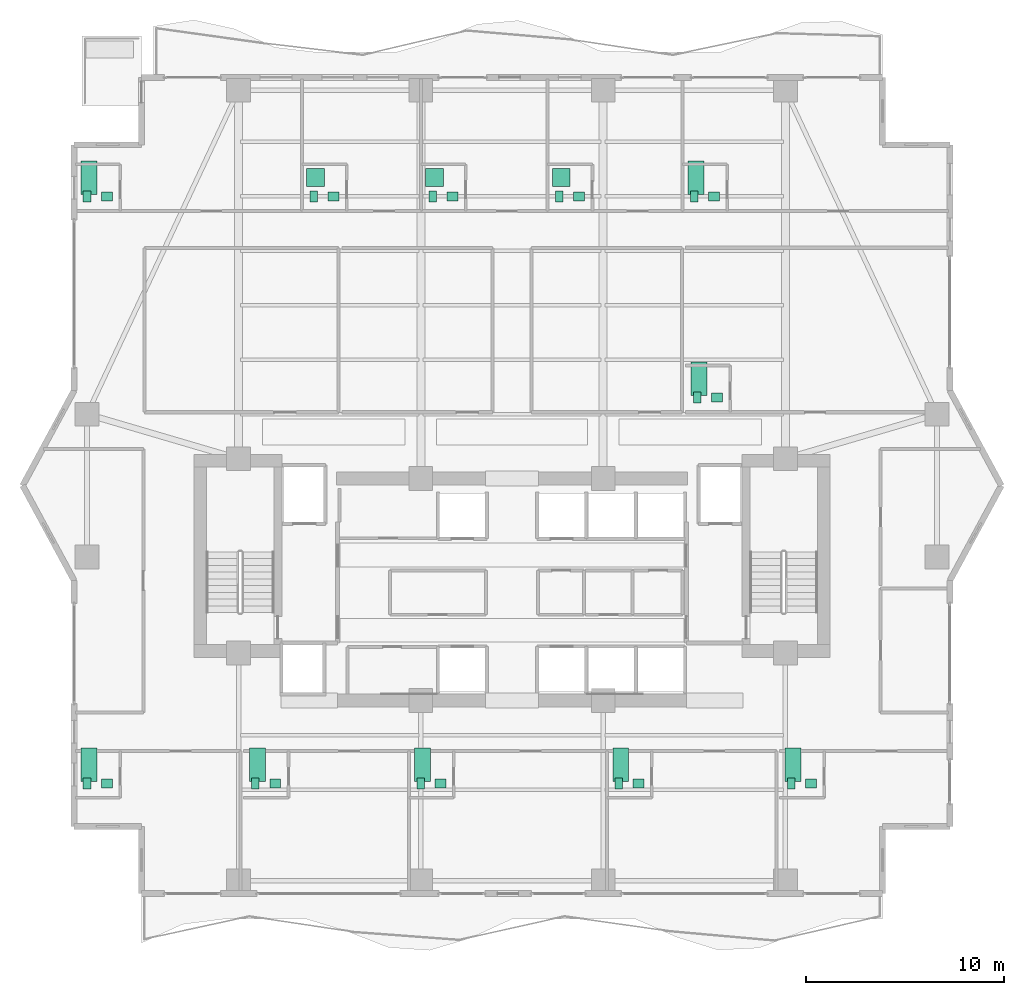
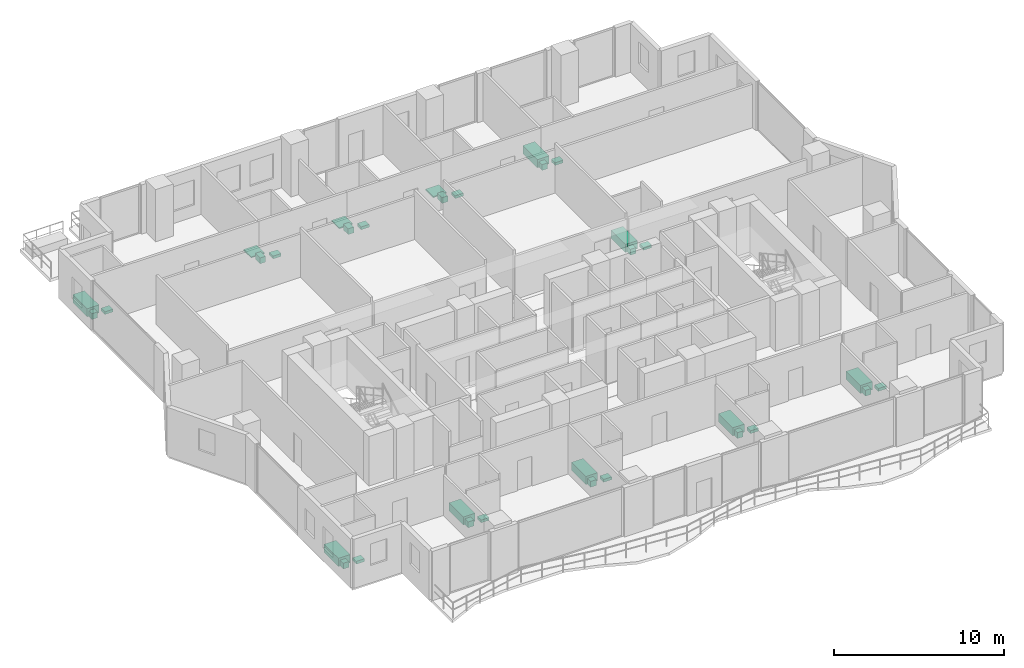
# One storey, part 32 of 32: 33 sanitary terminals.
"""IFC4 building model written with IfcOpenShell, lengths in metres."""

from ifc_helpers import new_model, si_unit, direction, frame, origin, origin_2d, place, context, subcontext, project, spatial, rectangle, extrude, material, type_object, element, save


model = new_model("IFC4")

# Units and contexts
model_context = context("Model", 3, precision=1e-05, world=origin(), true_north=direction((0.0, 1.0)))
body_context = subcontext(model_context, "Body", "Model", "MODEL_VIEW")
ifc_project = project(units=[si_unit("LENGTHUNIT", "METRE"), si_unit("AREAUNIT", "SQUARE_METRE"), si_unit("VOLUMEUNIT", "CUBIC_METRE"), si_unit("PLANEANGLEUNIT", "RADIAN"), si_unit("MASSUNIT", "GRAM", prefix="KILO")], contexts=[model_context])

# Site, building, storey
site_placement = place(None, origin())
site = spatial("IfcSite", under=ifc_project, at=site_placement, CompositionType="ELEMENT")
building_placement = place(site_placement, origin())
building = spatial("IfcBuilding", under=site, at=building_placement, Name="Zuhayl Quay Hotel", CompositionType="ELEMENT")
storey_placement = place(building_placement, frame((0.0, 0.0, 177.39990234375)))
storey = spatial("IfcBuildingStorey", under=building, at=storey_placement, Name="L44", CompositionType="ELEMENT", Elevation=177.39990234375)

# Sanitary terminals
ifc_material = material(Name="Vitreous Porcelain Sanitaryware")
sanitary_terminal_type_1 = type_object("IfcSanitaryTerminalType", Name="SAN_BASIN", PredefinedType="WASHHANDBASIN", material=ifc_material)
for number, where, z_axis, x_axis, name in (
    (1, (-20.449951171875, 27.590087890625, 0.0), (0.0, 0.0, 1.0), (1.0, 0.0, 0.0), "L44 Sanitary Fixture WASHHANDBASIN"),
    (2, (-9.010009765625, 27.590087890625, 0.0), (0.0, 0.0, 1.0), (1.0, 0.0, 0.0), "L44 Sanitary Fixture WASHHANDBASIN"),
    (3, (-3.010009765625, 27.590087890625, 0.0), (0.0, 0.0, 1.0), (1.0, 0.0, 0.0), "L44 Sanitary Fixture WASHHANDBASIN"),
    (4, (3.389892578125, 27.590087890625, 0.0), (0.0, 0.0, 1.0), (1.0, 0.0, 0.0), "L44 Sanitary Fixture WASHHANDBASIN"),
    (5, (10.18994140625, 27.590087890625, 0.0), (0.0, 0.0, 1.0), (1.0, 0.0, 0.0), "L44 Sanitary Fixture WASHHANDBASIN"),
    (6, (10.340087890625, 17.43994140625, 0.0), (0.0, 0.0, 1.0), (1.0, 0.0, 0.0), "L44 Sanitary Fixture WASHHANDBASIN"),
    (7, (-20.449951171875, -2.0400390625, 0.0), (0.0, 0.0, 1.0), (1.0, 0.0, 0.0), "L44 Sanitary Fixture WASHHANDBASIN"),
    (8, (-11.949951171875, -2.0400390625, 0.0), (0.0, 0.0, 1.0), (1.0, 0.0, 0.0), "L44 Sanitary Fixture WASHHANDBASIN"),
    (9, (-3.610107421875, -2.0400390625, 0.0), (0.0, 0.0, 1.0), (1.0, 0.0, 0.0), "L44 Sanitary Fixture WASHHANDBASIN"),
    (10, (6.389892578125, -2.0400390625, 0.0), (0.0, 0.0, 1.0), (1.0, 0.0, 0.0), "L44 Sanitary Fixture WASHHANDBASIN"),
    (11, (15.090087890625, -2.0400390625, 0.0), (0.0, 0.0, 1.0), (1.0, 0.0, 0.0), "L44 Sanitary Fixture WASHHANDBASIN"),
):
    element("IfcSanitaryTerminal", number, at=place(storey_placement, frame(where, z_axis=z_axis, x_axis=x_axis)), inside=storey, type_object=sanitary_terminal_type_1, Name=name, PredefinedType="WASHHANDBASIN", context=body_context, shape_type="SweptSolid", body=[
        extrude(rectangle(XDim=0.550048828125, YDim=0.449951171875, at=origin_2d()), origin(), (0.0, 0.0, 1.0), 0.199951171875),
    ])
sanitary_terminal_type_2 = type_object("IfcSanitaryTerminalType", Name="SAN_BATH", PredefinedType="BATH", material=ifc_material)
for number, where, z_axis, x_axis, name in (
    (12, (-21.35009765625, 28.5400390625, 0.0), (0.0, 0.0, 1.0), (1.0, 0.0, 0.0), "L44 Sanitary Fixture BATH"),
    (13, (9.2900390625, 28.5400390625, 0.0), (0.0, 0.0, 1.0), (1.0, 0.0, 0.0), "L44 Sanitary Fixture BATH"),
    (14, (9.43994140625, 18.389892578125, 0.0), (0.0, 0.0, 1.0), (1.0, 0.0, 0.0), "L44 Sanitary Fixture BATH"),
    (15, (-21.35009765625, -1.090087890625, 0.0), (0.0, 0.0, 1.0), (1.0, 0.0, 0.0), "L44 Sanitary Fixture BATH"),
    (16, (-12.85009765625, -1.090087890625, 0.0), (0.0, 0.0, 1.0), (1.0, 0.0, 0.0), "L44 Sanitary Fixture BATH"),
    (17, (-4.510009765625, -1.090087890625, 0.0), (0.0, 0.0, 1.0), (1.0, 0.0, 0.0), "L44 Sanitary Fixture BATH"),
    (18, (5.489990234375, -1.090087890625, 0.0), (0.0, 0.0, 1.0), (1.0, 0.0, 0.0), "L44 Sanitary Fixture BATH"),
    (19, (14.18994140625, -1.090087890625, 0.0), (0.0, 0.0, 1.0), (1.0, 0.0, 0.0), "L44 Sanitary Fixture BATH"),
):
    element("IfcSanitaryTerminal", number, at=place(storey_placement, frame(where, z_axis=z_axis, x_axis=x_axis)), inside=storey, type_object=sanitary_terminal_type_2, Name=name, PredefinedType="BATH", context=body_context, shape_type="SweptSolid", body=[
        extrude(rectangle(XDim=0.800048828125, YDim=1.699951171875, at=origin_2d()), origin(), (0.0, 0.0, 1.0), 0.580078125),
    ])
sanitary_terminal_type_3 = type_object("IfcSanitaryTerminalType", Name="SAN_SHOWER", PredefinedType="SHOWER", material=ifc_material)
for number, where, z_axis, x_axis, name in (
    (20, (-9.909912109375, 28.5400390625, 0.0), (0.0, 0.0, 1.0), (1.0, 0.0, 0.0), "L44 Sanitary Fixture SHOWER"),
    (21, (-3.909912109375, 28.5400390625, 0.0), (0.0, 0.0, 1.0), (1.0, 0.0, 0.0), "L44 Sanitary Fixture SHOWER"),
    (22, (2.489990234375, 28.5400390625, 0.0), (0.0, 0.0, 1.0), (1.0, 0.0, 0.0), "L44 Sanitary Fixture SHOWER"),
):
    element("IfcSanitaryTerminal", number, at=place(storey_placement, frame(where, z_axis=z_axis, x_axis=x_axis)), inside=storey, type_object=sanitary_terminal_type_3, Name=name, PredefinedType="SHOWER", context=body_context, shape_type="SweptSolid", body=[
        extrude(rectangle(XDim=0.89990234375, YDim=0.89990234375, at=origin_2d()), origin(), (0.0, 0.0, 1.0), 0.080078125),
    ])
sanitary_terminal_type_4 = type_object("IfcSanitaryTerminalType", Name="SAN_WC", PredefinedType="TOILETPAN", material=ifc_material)
for number, where, z_axis, x_axis, name in (
    (23, (-21.449951171875, 27.590087890625, 0.000244140625), (0.0, 0.0, 1.0), (1.0, 0.0, 0.0), "L44 Sanitary Fixture TOILETPAN"),
    (24, (-10.010009765625, 27.590087890625, 0.000244140625), (0.0, 0.0, 1.0), (1.0, 0.0, 0.0), "L44 Sanitary Fixture TOILETPAN"),
    (25, (-4.010009765625, 27.590087890625, 0.000244140625), (0.0, 0.0, 1.0), (1.0, 0.0, 0.0), "L44 Sanitary Fixture TOILETPAN"),
    (26, (2.389892578125, 27.590087890625, 0.000244140625), (0.0, 0.0, 1.0), (1.0, 0.0, 0.0), "L44 Sanitary Fixture TOILETPAN"),
    (27, (9.18994140625, 27.590087890625, 0.000244140625), (0.0, 0.0, 1.0), (1.0, 0.0, 0.0), "L44 Sanitary Fixture TOILETPAN"),
    (28, (9.340087890625, 17.43994140625, 0.000244140625), (0.0, 0.0, 1.0), (1.0, 0.0, 0.0), "L44 Sanitary Fixture TOILETPAN"),
    (29, (-21.449951171875, -2.0400390625, 0.000244140625), (0.0, 0.0, 1.0), (1.0, 0.0, 0.0), "L44 Sanitary Fixture TOILETPAN"),
    (30, (-12.949951171875, -2.0400390625, 0.000244140625), (0.0, 0.0, 1.0), (1.0, 0.0, 0.0), "L44 Sanitary Fixture TOILETPAN"),
    (31, (-4.610107421875, -2.0400390625, 0.000244140625), (0.0, 0.0, 1.0), (1.0, 0.0, 0.0), "L44 Sanitary Fixture TOILETPAN"),
    (32, (5.389892578125, -2.0400390625, 0.000244140625), (0.0, 0.0, 1.0), (1.0, 0.0, 0.0), "L44 Sanitary Fixture TOILETPAN"),
    (33, (14.090087890625, -2.0400390625, 0.000244140625), (0.0, 0.0, 1.0), (1.0, 0.0, 0.0), "L44 Sanitary Fixture TOILETPAN"),
):
    element("IfcSanitaryTerminal", number, at=place(storey_placement, frame(where, z_axis=z_axis, x_axis=x_axis)), inside=storey, type_object=sanitary_terminal_type_4, Name=name, PredefinedType="TOILETPAN", context=body_context, shape_type="SweptSolid", body=[
        extrude(rectangle(XDim=0.3798828125, YDim=0.56005859375, at=origin_2d()), origin(), (0.0, 0.0, 1.0), 0.419921875),
    ])

save(model, "model.ifc")
